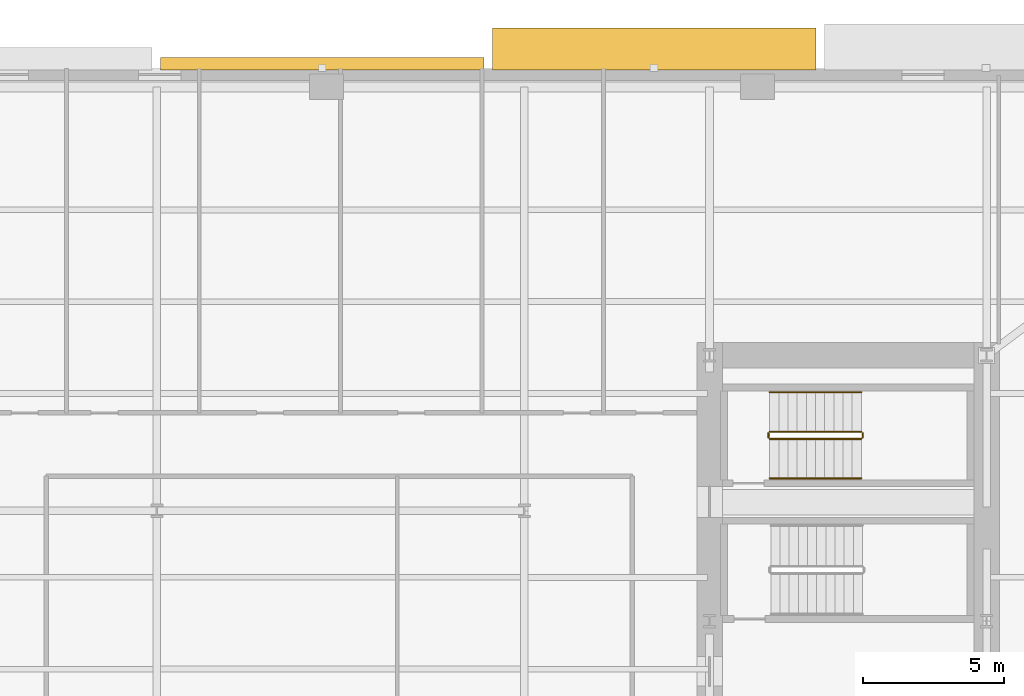
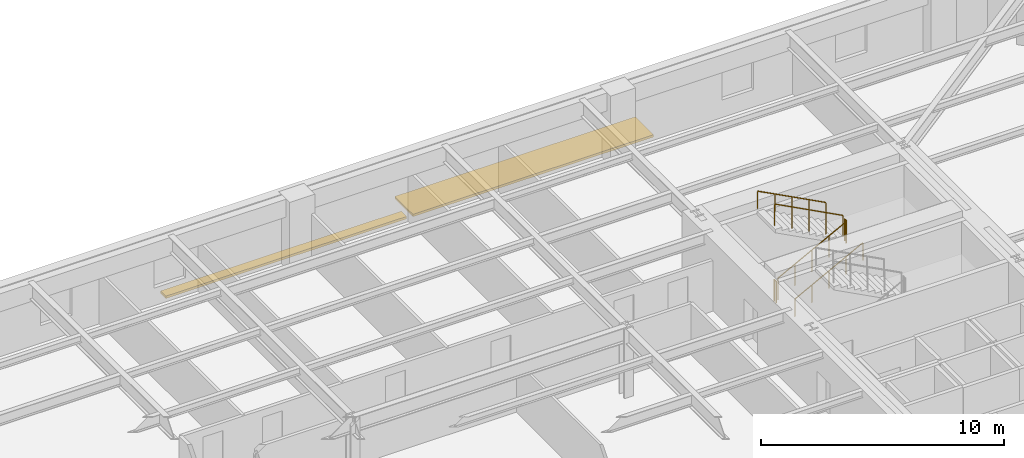
# One storey, part 14 of 15: 6 railings, 2 shading devices.
"""IFC4 building model written with IfcOpenShell, lengths in metres."""

from ifc_helpers import new_model, si_unit, direction, frame, origin, origin_2d, place, context, subcontext, project, spatial, rectangle, circle, extrude, material, type_object, element, save


model = new_model("IFC4")

# Units and contexts
model_context = context("Model", 3, precision=1e-05, world=origin(), true_north=direction((0.0, 1.0)))
body_context = subcontext(model_context, "Body", "Model", "MODEL_VIEW")
ifc_project = project(units=[si_unit("LENGTHUNIT", "METRE"), si_unit("AREAUNIT", "SQUARE_METRE"), si_unit("VOLUMEUNIT", "CUBIC_METRE"), si_unit("PLANEANGLEUNIT", "RADIAN"), si_unit("MASSUNIT", "GRAM", prefix="KILO")], contexts=[model_context])

# Site, building, storey
site_placement = place(None, origin())
site = spatial("IfcSite", under=ifc_project, at=site_placement, CompositionType="ELEMENT")
building_placement = place(site_placement, origin())
building = spatial("IfcBuilding", under=site, at=building_placement, Name="Kolvaren Arena Tower", CompositionType="ELEMENT")
storey_placement = place(building_placement, frame((0.0, 0.0, 68.25)))
storey = spatial("IfcBuildingStorey", under=building, at=storey_placement, Name="L14", CompositionType="ELEMENT", Elevation=68.25)

# Railings
ifc_material_1 = material(Name="Painted galvanized steel", Category="steel")
railing_type_1 = type_object("IfcRailingType", Name="GUARD-ST-110", PredefinedType="GUARDRAIL", material=ifc_material_1)
railing_1_placement = place(storey_placement, frame((52.679931640625, 36.39990234375, 0.17041015625)))
element("IfcRailing", 1, at=railing_1_placement, inside=storey, type_object=railing_type_1, Name="L14 ST-E2 stair guard 1", PredefinedType="GUARDRAIL", context=body_context, shape_type="SweptSolid", body=[
    extrude(circle(Radius=0.02392578125, at=origin_2d()), frame((0.0, 0.0, 1.076171875), z_axis=(0.884993431791, 0.0, 0.465603506952), x_axis=(0.0, 1.0, 0.0)), (0.0, 0.0, 1.0), 3.6611328125),
    extrude(circle(Radius=0.02099609375, at=origin_2d()), origin(), (0.0, 0.0, 1.0), 1.052001953125),
    extrude(circle(Radius=0.02099609375, at=origin_2d()), frame((0.81005859375, 0.0, 0.42626953125)), (0.0, 0.0, 1.0), 1.052001953125),
    extrude(circle(Radius=0.02099609375, at=origin_2d()), frame((1.6201171875, 0.0, 0.852294921875)), (0.0, 0.0, 1.0), 1.052001953125),
    extrude(circle(Radius=0.02099609375, at=origin_2d()), frame((2.429931640625, 0.0, 1.2783203125)), (0.0, 0.0, 1.0), 1.052001953125),
    extrude(circle(Radius=0.02099609375, at=origin_2d()), frame((3.239990234375, 0.0, 1.70458984375)), (0.0, 0.0, 1.0), 1.052001953125),
])
railing_2_placement = place(storey_placement, frame((55.969970703125, 36.449951171875, 1.875)))
element("IfcRailing", 2, at=railing_2_placement, inside=storey, type_object=railing_type_1, Name="L14 ST-E2 stair guard 2", PredefinedType="GUARDRAIL", context=body_context, shape_type="SweptSolid", body=[
    extrude(circle(Radius=0.02392578125, at=origin_2d()), frame((0.0, 0.0, 1.076171875), z_axis=(0.0, 1.0, 0.0), x_axis=(-1.0, 0.0, 0.0)), (0.0, 0.0, 1.0), 0.150146484375),
    extrude(circle(Radius=0.02099609375, at=origin_2d()), origin(), (0.0, 0.0, 1.0), 1.052001953125),
    extrude(circle(Radius=0.02099609375, at=origin_2d()), frame((0.0, 0.150146484375, 0.0)), (0.0, 0.0, 1.0), 1.052001953125),
])
railing_3_placement = place(storey_placement, frame((55.919921875, 36.64990234375, 2.04541015625)))
element("IfcRailing", 3, at=railing_3_placement, inside=storey, type_object=railing_type_1, Name="L14 ST-E2 stair guard 3", PredefinedType="GUARDRAIL", context=body_context, shape_type="SweptSolid", body=[
    extrude(circle(Radius=0.02392578125, at=origin_2d()), frame((0.0, 0.0, 1.076171875), z_axis=(-0.884993431791, 0.0, 0.465603506952), x_axis=(0.0, -1.0, 0.0)), (0.0, 0.0, 1.0), 3.6611328125),
    extrude(circle(Radius=0.02099609375, at=origin_2d()), origin(), (0.0, 0.0, 1.0), 1.052001953125),
    extrude(circle(Radius=0.02099609375, at=origin_2d()), frame((-0.81005859375, 0.0, 0.42626953125)), (0.0, 0.0, 1.0), 1.052001953125),
    extrude(circle(Radius=0.02099609375, at=origin_2d()), frame((-1.6201171875, 0.0, 0.852294921875)), (0.0, 0.0, 1.0), 1.052001953125),
    extrude(circle(Radius=0.02099609375, at=origin_2d()), frame((-2.429931640625, 0.0, 1.2783203125)), (0.0, 0.0, 1.0), 1.052001953125),
    extrude(circle(Radius=0.02099609375, at=origin_2d()), frame((-3.239990234375, 0.0, 1.70458984375)), (0.0, 0.0, 1.0), 1.052001953125),
])
railing_4_placement = place(storey_placement, frame((52.6298828125, 36.449951171875, 0.0)))
element("IfcRailing", 4, at=railing_4_placement, inside=storey, type_object=railing_type_1, Name="L14 ST-E2 stair guard 4", PredefinedType="GUARDRAIL", context=body_context, shape_type="SweptSolid", body=[
    extrude(circle(Radius=0.02392578125, at=origin_2d()), frame((0.0, 0.0, 1.076171875), z_axis=(0.0, 1.0, 0.0), x_axis=(-1.0, 0.0, 0.0)), (0.0, 0.0, 1.0), 0.150146484375),
    extrude(circle(Radius=0.02099609375, at=origin_2d()), origin(), (0.0, 0.0, 1.0), 1.052001953125),
    extrude(circle(Radius=0.02099609375, at=origin_2d()), frame((0.0, 0.150146484375, 0.0)), (0.0, 0.0, 1.0), 1.052001953125),
])
ifc_material_2 = material(Name="Brushed stainless steel handrail", Category="steel")
railing_type_2 = type_object("IfcRailingType", Name="HRAIL-900", PredefinedType="HANDRAIL", material=ifc_material_2)
railing_5_placement = place(storey_placement, frame((52.679931640625, 35.0, 0.17041015625)))
element("IfcRailing", 5, at=railing_5_placement, inside=storey, type_object=railing_type_2, Name="L14 ST-E2 stair handrail 1", PredefinedType="HANDRAIL", context=body_context, shape_type="SweptSolid", body=[
    extrude(circle(Radius=0.02392578125, at=origin_2d()), frame((0.0, 0.0, 0.8759765625), z_axis=(0.884993431791, 0.0, 0.465603506952), x_axis=(0.0, 1.0, 0.0)), (0.0, 0.0, 1.0), 3.6611328125),
    extrude(circle(Radius=0.02099609375, at=origin_2d()), origin(), (0.0, 0.0, 1.0), 0.851806640625),
    extrude(circle(Radius=0.02099609375, at=origin_2d()), frame((0.81005859375, 0.0, 0.42626953125)), (0.0, 0.0, 1.0), 0.851806640625),
    extrude(circle(Radius=0.02099609375, at=origin_2d()), frame((1.6201171875, 0.0, 0.852294921875)), (0.0, 0.0, 1.0), 0.851806640625),
    extrude(circle(Radius=0.02099609375, at=origin_2d()), frame((2.429931640625, 0.0, 1.2783203125)), (0.0, 0.0, 1.0), 0.851806640625),
    extrude(circle(Radius=0.02099609375, at=origin_2d()), frame((3.239990234375, 0.0, 1.70458984375)), (0.0, 0.0, 1.0), 0.851806640625),
])
railing_6_placement = place(storey_placement, frame((55.919921875, 38.050048828125, 2.04541015625)))
element("IfcRailing", 6, at=railing_6_placement, inside=storey, type_object=railing_type_2, Name="L14 ST-E2 stair handrail 2", PredefinedType="HANDRAIL", context=body_context, shape_type="SweptSolid", body=[
    extrude(circle(Radius=0.02392578125, at=origin_2d()), frame((0.0, 0.0, 0.8759765625), z_axis=(-0.884993431791, 0.0, 0.465603506952), x_axis=(0.0, -1.0, 0.0)), (0.0, 0.0, 1.0), 3.6611328125),
    extrude(circle(Radius=0.02099609375, at=origin_2d()), origin(), (0.0, 0.0, 1.0), 0.851806640625),
    extrude(circle(Radius=0.02099609375, at=origin_2d()), frame((-0.81005859375, 0.0, 0.42626953125)), (0.0, 0.0, 1.0), 0.851806640625),
    extrude(circle(Radius=0.02099609375, at=origin_2d()), frame((-1.6201171875, 0.0, 0.852294921875)), (0.0, 0.0, 1.0), 0.851806640625),
    extrude(circle(Radius=0.02099609375, at=origin_2d()), frame((-2.429931640625, 0.0, 1.2783203125)), (0.0, 0.0, 1.0), 0.851806640625),
    extrude(circle(Radius=0.02099609375, at=origin_2d()), frame((-3.239990234375, 0.0, 1.70458984375)), (0.0, 0.0, 1.0), 0.851806640625),
])

# Shading devices
ifc_material_3 = material(Name="Architectural precast GFRC and anodised aluminium sunshade", Category="concrete")
shading_device_type_1 = type_object("IfcShadingDeviceType", Name="SHAD-SINE-A", PredefinedType="USERDEFINED", material=ifc_material_3)
shading_device_1_placement = place(storey_placement, frame((36.85009765625, 49.671142578125, -0.14013671875), z_axis=(0.0, 0.0, 1.0), x_axis=(1.0, 0.0, 0.0)))
element("IfcShadingDevice", 7, at=shading_device_1_placement, inside=storey, type_object=shading_device_type_1, Name="Sinusoidal Slab-Edge Sunshade Louvre (L14)", ObjectType="LOUVRE", PredefinedType="USERDEFINED", context=body_context, shape_type="SweptSolid", body=[
    extrude(rectangle(XDim=11.43994140625, YDim=0.4423828125, at=origin_2d()), origin(), (0.0, 0.0, 1.0), 0.1201171875),
])
shading_device_type_2 = type_object("IfcShadingDeviceType", Name="SHAD-SINE-B", PredefinedType="JALOUSIE", material=ifc_material_3)
shading_device_2_placement = place(storey_placement, frame((48.590087890625, 50.196044921875, -0.14013671875), z_axis=(0.0, 0.0, 1.0), x_axis=(1.0, 0.0, 0.0)))
element("IfcShadingDevice", 8, at=shading_device_2_placement, inside=storey, type_object=shading_device_type_2, Name="Sinusoidal Slab-Edge Sunshade Louvre (L14)", PredefinedType="JALOUSIE", context=body_context, shape_type="SweptSolid", body=[
    extrude(rectangle(XDim=11.43994140625, YDim=1.491943359375, at=origin_2d()), origin(), (0.0, 0.0, 1.0), 0.1201171875),
])

save(model, "model.ifc")
